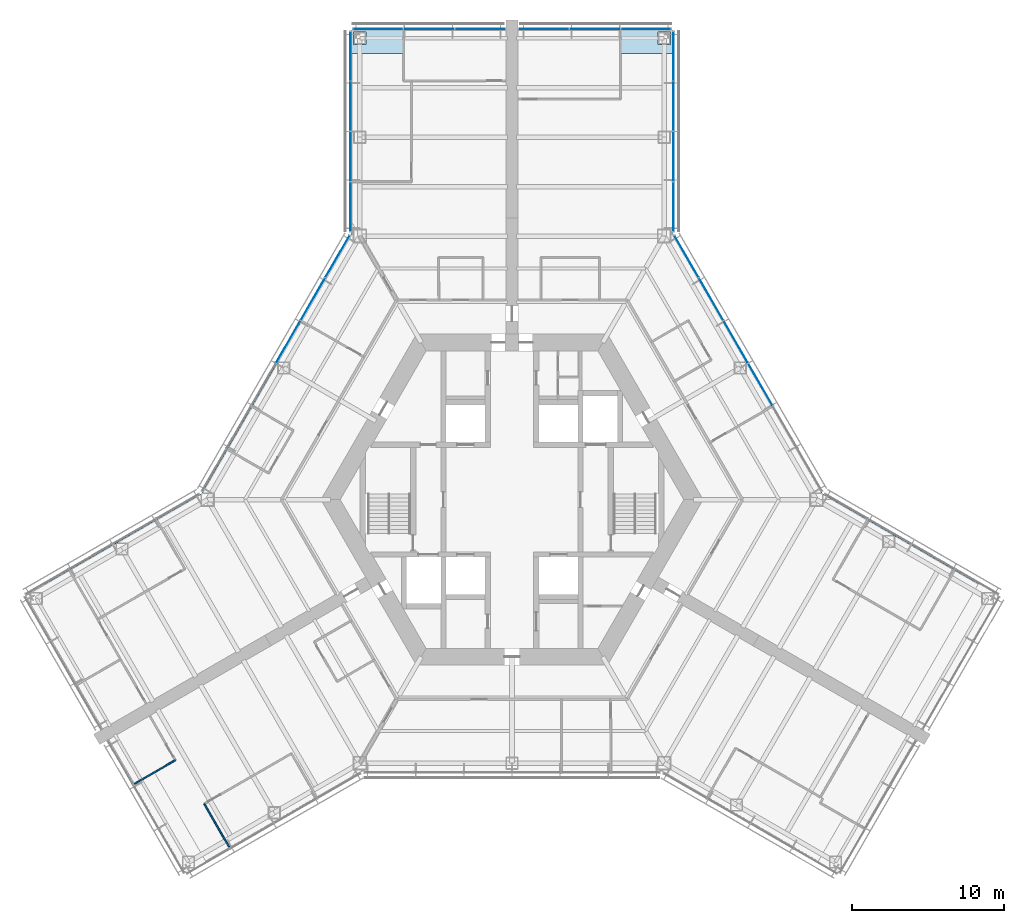
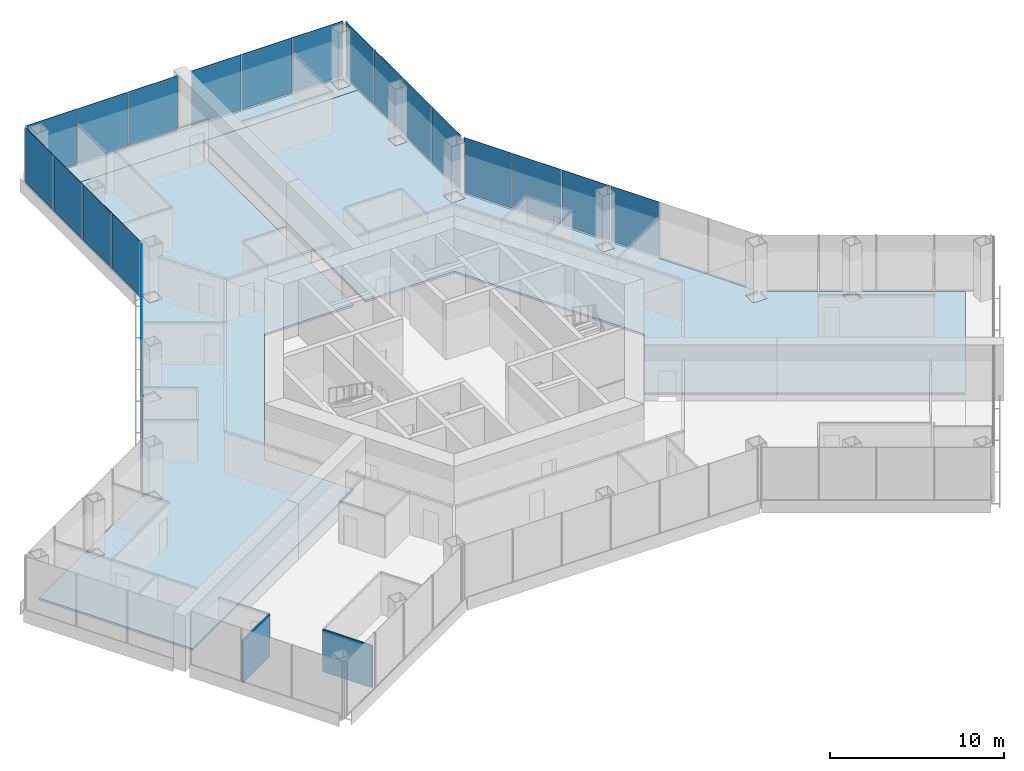
# One storey, part 11 of 18: 21 plates, 3 slabs, 2 walls, 6 elements without a shape of their own.
"""IFC4 building model written with IfcOpenShell, lengths in metres."""

from ifc_helpers import new_model, si_unit, direction, frame, frame_2d, origin, origin_2d, place, context, subcontext, project, spatial, polyline, rectangle, outline, extrude, material, layer, layer_set, type_object, element, aggregate, save


model = new_model("IFC4")

# Units and contexts
model_context = context("Model", 3, precision=1e-05, world=origin(), true_north=direction((0.0, 1.0)))
body_context = subcontext(model_context, "Body", "Model", "MODEL_VIEW")
ifc_project = project(units=[si_unit("LENGTHUNIT", "METRE"), si_unit("AREAUNIT", "SQUARE_METRE"), si_unit("VOLUMEUNIT", "CUBIC_METRE"), si_unit("PLANEANGLEUNIT", "RADIAN"), si_unit("MASSUNIT", "GRAM", prefix="KILO")], contexts=[model_context])

# Site, building, storey
site_placement = place(None, origin())
site = spatial("IfcSite", under=ifc_project, at=site_placement, CompositionType="ELEMENT")
building_placement = place(site_placement, origin())
building = spatial("IfcBuilding", under=site, at=building_placement, Name="Kasaneha Research Tower", CompositionType="ELEMENT")
storey_placement = place(building_placement, frame((0.0, 0.0, 108.0)))
storey = spatial("IfcBuildingStorey", under=building, at=storey_placement, Name="L27", CompositionType="ELEMENT", Elevation=108.0)

# Curtain wall, plates
ifc_material_1 = material(Name="Glass and aluminium", Category="aluminium")
curtain_wall_type = type_object("IfcCurtainWallType", Name="Low-rise office curtain wall", PredefinedType="USERDEFINED", material=ifc_material_1)
curtain_wall_1_placement = place(storey_placement, origin())
curtain_wall_1 = element("IfcCurtainWall", 1, at=curtain_wall_1_placement, inside=storey, type_object=curtain_wall_type, Name="CW-O1 L27 run 07a", ObjectType="UNITISED CURTAIN WALL", PredefinedType="USERDEFINED")
ifc_material_2 = material(Name="Laminated double glazing", Category="glass")
ifc_layer_1 = layer(ifc_material_2, 0.028076171875)
ifc_layer_set_1 = layer_set([ifc_layer_1], Name="CW-O1 glazed panel")
plate_type = type_object("IfcPlateType", Name="CW-O1 glazed panel", PredefinedType="CURTAIN_PANEL", material=ifc_layer_set_1)
plate_1_placement = place(storey_placement, frame((16.331298828125, 7.554443359375, 0.06005859375), z_axis=(0.0, 0.0, 1.0), x_axis=(-0.49999996188, 0.866025425793, 0.0)))
plate_1 = element("IfcPlate", 2, at=plate_1_placement, type_object=plate_type, Name="CW-O1 panel 3", PredefinedType="CURTAIN_PANEL", context=body_context, shape_type="SweptSolid", body=[
    extrude(rectangle(XDim=3.1865234375, YDim=0.028076171875, at=origin_2d()), origin(), (0.0, 0.0, 1.0), 3.840087890625),
])
plate_2_placement = place(storey_placement, frame((14.7080078125, 10.365966796875, 0.06005859375), z_axis=(0.0, 0.0, 1.0), x_axis=(-0.49999996188, 0.866025425793, 0.0)))
plate_2 = element("IfcPlate", 3, at=plate_2_placement, type_object=plate_type, Name="CW-O1 panel 4", PredefinedType="CURTAIN_PANEL", context=body_context, shape_type="SweptSolid", body=[
    extrude(rectangle(XDim=3.1865234375, YDim=0.028076171875, at=origin_2d()), origin(), (0.0, 0.0, 1.0), 3.840087890625),
])
plate_3_placement = place(storey_placement, frame((13.084716796875, 13.177490234375, 0.06005859375), z_axis=(0.0, 0.0, 1.0), x_axis=(-0.49999996188, 0.866025425793, 0.0)))
plate_3 = element("IfcPlate", 4, at=plate_3_placement, type_object=plate_type, Name="CW-O1 panel 5", PredefinedType="CURTAIN_PANEL", context=body_context, shape_type="SweptSolid", body=[
    extrude(rectangle(XDim=3.1865234375, YDim=0.028076171875, at=origin_2d()), origin(), (0.0, 0.0, 1.0), 3.840087890625),
])
plate_4_placement = place(storey_placement, frame((11.468994140625, 15.975830078125, 0.06005859375), z_axis=(0.0, 0.0, 1.0), x_axis=(-0.49999996188, 0.866025425793, 0.0)))
plate_4 = element("IfcPlate", 5, at=plate_4_placement, type_object=plate_type, Name="CW-O1 panel 6", PredefinedType="CURTAIN_PANEL", context=body_context, shape_type="SweptSolid", body=[
    extrude(rectangle(XDim=3.156494140625, YDim=0.028076171875, at=origin_2d()), origin(), (0.0, 0.0, 1.0), 3.840087890625),
])
aggregate(curtain_wall_1, [plate_1, plate_2, plate_3, plate_4])

curtain_wall_2_placement = place(storey_placement, origin())
curtain_wall_2 = element("IfcCurtainWall", 6, at=curtain_wall_2_placement, inside=storey, type_object=curtain_wall_type, Name="CW-O1 L27 run 08a", ObjectType="UNITISED CURTAIN WALL", PredefinedType="USERDEFINED")
plate_5_placement = place(storey_placement, frame((10.60009765625, 19.251220703125, 0.06005859375), z_axis=(0.0, 0.0, 1.0), x_axis=(0.0, 1.0, 0.0)))
plate_5 = element("IfcPlate", 7, at=plate_5_placement, type_object=plate_type, Name="CW-O1 panel 1", PredefinedType="CURTAIN_PANEL", context=body_context, shape_type="SweptSolid", body=[
    extrude(rectangle(XDim=3.2197265625, YDim=0.028076171875, at=origin_2d()), origin(), (0.0, 0.0, 1.0), 3.840087890625),
])
plate_6_placement = place(storey_placement, frame((10.60009765625, 22.5458984375, 0.06005859375), z_axis=(0.0, 0.0, 1.0), x_axis=(0.0, 1.0, 0.0)))
plate_6 = element("IfcPlate", 8, at=plate_6_placement, type_object=plate_type, Name="CW-O1 panel 2", PredefinedType="CURTAIN_PANEL", context=body_context, shape_type="SweptSolid", body=[
    extrude(rectangle(XDim=3.249755859375, YDim=0.028076171875, at=origin_2d()), origin(), (0.0, 0.0, 1.0), 3.840087890625),
])
plate_7_placement = place(storey_placement, frame((10.60009765625, 25.855712890625, 0.06005859375), z_axis=(0.0, 0.0, 1.0), x_axis=(0.0, 1.0, 0.0)))
plate_7 = element("IfcPlate", 9, at=plate_7_placement, type_object=plate_type, Name="CW-O1 panel 3", PredefinedType="CURTAIN_PANEL", context=body_context, shape_type="SweptSolid", body=[
    extrude(rectangle(XDim=3.249755859375, YDim=0.028076171875, at=origin_2d()), origin(), (0.0, 0.0, 1.0), 3.840087890625),
])
plate_8_placement = place(storey_placement, frame((10.60009765625, 29.150634765625, 0.06005859375), z_axis=(0.0, 0.0, 1.0), x_axis=(0.0, 1.0, 0.0)))
plate_8 = element("IfcPlate", 10, at=plate_8_placement, type_object=plate_type, Name="CW-O1 panel 4", PredefinedType="CURTAIN_PANEL", context=body_context, shape_type="SweptSolid", body=[
    extrude(rectangle(XDim=3.2197265625, YDim=0.028076171875, at=origin_2d()), origin(), (0.0, 0.0, 1.0), 3.840087890625),
])
aggregate(curtain_wall_2, [plate_5, plate_6, plate_7, plate_8])

curtain_wall_3_placement = place(storey_placement, origin())
curtain_wall_3 = element("IfcCurtainWall", 11, at=curtain_wall_3_placement, inside=storey, type_object=curtain_wall_type, Name="CW-O1 L27 run 09a", ObjectType="UNITISED CURTAIN WALL", PredefinedType="USERDEFINED")
plate_9_placement = place(storey_placement, frame((8.8017578125, 30.92041015625, 0.06005859375), z_axis=(0.0, 0.0, 1.0), x_axis=(-1.0, 0.0, 0.0)))
plate_9 = element("IfcPlate", 12, at=plate_9_placement, type_object=plate_type, Name="CW-O1 panel 1", PredefinedType="CURTAIN_PANEL", context=body_context, shape_type="SweptSolid", body=[
    extrude(rectangle(XDim=3.276611328125, YDim=0.028076171875, at=origin_2d()), origin(), (0.0, 0.0, 1.0), 3.840087890625),
])
plate_10_placement = place(storey_placement, frame((5.449951171875, 30.92041015625, 0.06005859375), z_axis=(0.0, 0.0, 1.0), x_axis=(-1.0, 0.0, 0.0)))
plate_10 = element("IfcPlate", 13, at=plate_10_placement, type_object=plate_type, Name="CW-O1 panel 2", PredefinedType="CURTAIN_PANEL", context=body_context, shape_type="SweptSolid", body=[
    extrude(rectangle(XDim=3.306640625, YDim=0.028076171875, at=origin_2d()), origin(), (0.0, 0.0, 1.0), 3.840087890625),
])
plate_11_placement = place(storey_placement, frame((2.098388671875, 30.92041015625, 0.06005859375), z_axis=(0.0, 0.0, 1.0), x_axis=(-1.0, 0.0, 0.0)))
plate_11 = element("IfcPlate", 14, at=plate_11_placement, type_object=plate_type, Name="CW-O1 panel 3", PredefinedType="CURTAIN_PANEL", context=body_context, shape_type="SweptSolid", body=[
    extrude(rectangle(XDim=3.276611328125, YDim=0.028076171875, at=origin_2d()), origin(), (0.0, 0.0, 1.0), 3.840087890625),
])
aggregate(curtain_wall_3, [plate_9, plate_10, plate_11])

curtain_wall_4_placement = place(storey_placement, origin())
curtain_wall_4 = element("IfcCurtainWall", 15, at=curtain_wall_4_placement, inside=storey, type_object=curtain_wall_type, Name="CW-O1 L27 run 10a", ObjectType="UNITISED CURTAIN WALL", PredefinedType="USERDEFINED")
plate_12_placement = place(storey_placement, frame((-2.098388671875, 30.92041015625, 0.06005859375), z_axis=(0.0, 0.0, 1.0), x_axis=(-1.0, 0.0, 0.0)))
plate_12 = element("IfcPlate", 16, at=plate_12_placement, type_object=plate_type, Name="CW-O1 panel 1", PredefinedType="CURTAIN_PANEL", context=body_context, shape_type="SweptSolid", body=[
    extrude(rectangle(XDim=3.276611328125, YDim=0.028076171875, at=origin_2d()), origin(), (0.0, 0.0, 1.0), 3.840087890625),
])
plate_13_placement = place(storey_placement, frame((-5.449951171875, 30.92041015625, 0.06005859375), z_axis=(0.0, 0.0, 1.0), x_axis=(-1.0, 0.0, 0.0)))
plate_13 = element("IfcPlate", 17, at=plate_13_placement, type_object=plate_type, Name="CW-O1 panel 2", PredefinedType="CURTAIN_PANEL", context=body_context, shape_type="SweptSolid", body=[
    extrude(rectangle(XDim=3.306640625, YDim=0.028076171875, at=origin_2d()), origin(), (0.0, 0.0, 1.0), 3.840087890625),
])
plate_14_placement = place(storey_placement, frame((-8.8017578125, 30.92041015625, 0.06005859375), z_axis=(0.0, 0.0, 1.0), x_axis=(-1.0, 0.0, 0.0)))
plate_14 = element("IfcPlate", 18, at=plate_14_placement, type_object=plate_type, Name="CW-O1 panel 3", PredefinedType="CURTAIN_PANEL", context=body_context, shape_type="SweptSolid", body=[
    extrude(rectangle(XDim=3.276611328125, YDim=0.028076171875, at=origin_2d()), origin(), (0.0, 0.0, 1.0), 3.840087890625),
])
aggregate(curtain_wall_4, [plate_12, plate_13, plate_14])

curtain_wall_5_placement = place(storey_placement, origin())
curtain_wall_5 = element("IfcCurtainWall", 19, at=curtain_wall_5_placement, inside=storey, type_object=curtain_wall_type, Name="CW-O1 L27 run 11a", ObjectType="UNITISED CURTAIN WALL", PredefinedType="USERDEFINED")
plate_15_placement = place(storey_placement, frame((-10.60009765625, 29.150634765625, 0.06005859375), z_axis=(0.0, 0.0, 1.0), x_axis=(0.0, -1.0, 0.0)))
plate_15 = element("IfcPlate", 20, at=plate_15_placement, type_object=plate_type, Name="CW-O1 panel 1", PredefinedType="CURTAIN_PANEL", context=body_context, shape_type="SweptSolid", body=[
    extrude(rectangle(XDim=3.2197265625, YDim=0.028076171875, at=origin_2d()), origin(), (0.0, 0.0, 1.0), 3.840087890625),
])
plate_16_placement = place(storey_placement, frame((-10.60009765625, 25.855712890625, 0.06005859375), z_axis=(0.0, 0.0, 1.0), x_axis=(0.0, -1.0, 0.0)))
plate_16 = element("IfcPlate", 21, at=plate_16_placement, type_object=plate_type, Name="CW-O1 panel 2", PredefinedType="CURTAIN_PANEL", context=body_context, shape_type="SweptSolid", body=[
    extrude(rectangle(XDim=3.249755859375, YDim=0.028076171875, at=origin_2d()), origin(), (0.0, 0.0, 1.0), 3.840087890625),
])
plate_17_placement = place(storey_placement, frame((-10.60009765625, 22.5458984375, 0.06005859375), z_axis=(0.0, 0.0, 1.0), x_axis=(0.0, -1.0, 0.0)))
plate_17 = element("IfcPlate", 22, at=plate_17_placement, type_object=plate_type, Name="CW-O1 panel 3", PredefinedType="CURTAIN_PANEL", context=body_context, shape_type="SweptSolid", body=[
    extrude(rectangle(XDim=3.249755859375, YDim=0.028076171875, at=origin_2d()), origin(), (0.0, 0.0, 1.0), 3.840087890625),
])
plate_18_placement = place(storey_placement, frame((-10.60009765625, 19.251220703125, 0.06005859375), z_axis=(0.0, 0.0, 1.0), x_axis=(0.0, -1.0, 0.0)))
plate_18 = element("IfcPlate", 23, at=plate_18_placement, type_object=plate_type, Name="CW-O1 panel 4", PredefinedType="CURTAIN_PANEL", context=body_context, shape_type="SweptSolid", body=[
    extrude(rectangle(XDim=3.2197265625, YDim=0.028076171875, at=origin_2d()), origin(), (0.0, 0.0, 1.0), 3.840087890625),
])
aggregate(curtain_wall_5, [plate_15, plate_16, plate_17, plate_18])

curtain_wall_6_placement = place(storey_placement, origin())
curtain_wall_6 = element("IfcCurtainWall", 24, at=curtain_wall_6_placement, inside=storey, type_object=curtain_wall_type, Name="CW-O1 L27 run 12a", ObjectType="UNITISED CURTAIN WALL", PredefinedType="USERDEFINED")
plate_19_placement = place(storey_placement, frame((-11.468994140625, 15.975830078125, 0.06005859375), z_axis=(0.0, 0.0, 1.0), x_axis=(-0.49999996188, -0.866025425793, 0.0)))
plate_19 = element("IfcPlate", 25, at=plate_19_placement, type_object=plate_type, Name="CW-O1 panel 1", PredefinedType="CURTAIN_PANEL", context=body_context, shape_type="SweptSolid", body=[
    extrude(rectangle(XDim=3.156494140625, YDim=0.028076171875, at=origin_2d()), origin(), (0.0, 0.0, 1.0), 3.840087890625),
])
plate_20_placement = place(storey_placement, frame((-13.084716796875, 13.177490234375, 0.06005859375), z_axis=(0.0, 0.0, 1.0), x_axis=(-0.49999996188, -0.866025425793, 0.0)))
plate_20 = element("IfcPlate", 26, at=plate_20_placement, type_object=plate_type, Name="CW-O1 panel 2", PredefinedType="CURTAIN_PANEL", context=body_context, shape_type="SweptSolid", body=[
    extrude(rectangle(XDim=3.1865234375, YDim=0.028076171875, at=origin_2d()), origin(), (0.0, 0.0, 1.0), 3.840087890625),
])
plate_21_placement = place(storey_placement, frame((-14.7080078125, 10.365966796875, 0.06005859375), z_axis=(0.0, 0.0, 1.0), x_axis=(-0.49999996188, -0.866025425793, 0.0)))
plate_21 = element("IfcPlate", 27, at=plate_21_placement, type_object=plate_type, Name="CW-O1 panel 3", PredefinedType="CURTAIN_PANEL", context=body_context, shape_type="SweptSolid", body=[
    extrude(rectangle(XDim=3.1865234375, YDim=0.028076171875, at=origin_2d()), origin(), (0.0, 0.0, 1.0), 3.840087890625),
])
aggregate(curtain_wall_6, [plate_19, plate_20, plate_21])

# Slabs
ifc_material_3 = material(Name="Concrete Fc24", Category="concrete")
ifc_layer_2 = layer(ifc_material_3, 0.14990234375)
ifc_layer_set_2 = layer_set([ifc_layer_2], Name="Floor slab 150")
slab_type = type_object("IfcSlabType", Name="Floor slab 150", PredefinedType="FLOOR", material=ifc_layer_set_2)
slab_1_placement = place(storey_placement, frame((0.0, 0.0, -0.14990234375)))
element("IfcSlab", 28, at=slab_1_placement, inside=storey, type_object=slab_type, Name="Floor slab L27 2", PredefinedType="FLOOR", context=body_context, shape_type="SweptSolid", body=[
    extrude(outline(polyline([(-20.375244140625, 0.449951171875), (-15.40771484375, 9.053955078125), (-15.400146484375, 9.046142578125), (-15.400146484375, 8.26025390625), (-14.599853515625, 8.26025390625), (-14.599853515625, 9.060302734375), (-15.385986328125, 9.060302734375), (-15.3974609375, 9.07177734375), (-10.550048828125, 17.4677734375), (-10.550048828125, 29.310546875), (-0.39990234375, 29.310546875), (-0.39990234375, 10.875), (-6.278564453125, 10.875), (-12.557373046875, 0.0), (-9.617919921875, -5.091064453125), (-25.583740234375, -14.308837890625), (-30.65869140625, -5.518798828125), (-26.040771484375, -2.8525390625), (-26.029296875, -2.864013671875), (-26.029296875, -3.650146484375), (-25.22900390625, -3.650146484375), (-25.22900390625, -2.849853515625), (-26.01513671875, -2.849853515625), (-26.02294921875, -2.84228515625), (-20.449951171875, 0.375244140625), (-20.449951171875, -0.449951171875), (-19.550048828125, -0.449951171875), (-19.550048828125, 0.449951171875), (-20.375244140625, 0.449951171875)]), holes=[polyline([(-9.550048828125, 17.7705078125), (-10.449951171875, 17.7705078125), (-10.449951171875, 16.87060546875), (-9.550048828125, 16.87060546875), (-9.550048828125, 17.7705078125)]), polyline([(-9.60009765625, 23.42041015625), (-9.60009765625, 24.220458984375), (-10.39990234375, 24.220458984375), (-10.39990234375, 23.42041015625), (-9.60009765625, 23.42041015625)])]), origin(), (0.0, 0.0, 1.0), 0.14990234375),
])
slab_2_placement = place(storey_placement, frame((0.0, 0.0, -0.14990234375)))
element("IfcSlab", 29, at=slab_2_placement, inside=storey, type_object=slab_type, Name="Floor slab L27 3", PredefinedType="FLOOR", context=body_context, shape_type="SweptSolid", body=[
    extrude(outline(polyline([(10.550048828125, 29.310546875), (0.39990234375, 29.310546875), (0.39990234375, 29.320556640625), (-0.39990234375, 29.320556640625), (-0.39990234375, 29.310546875), (-10.550048828125, 29.310546875), (-10.550048828125, 30.87060546875), (10.550048828125, 30.87060546875), (10.550048828125, 29.310546875)]), holes=[polyline([(-9.60009765625, 30.720458984375), (-10.39990234375, 30.720458984375), (-10.39990234375, 29.92041015625), (-9.60009765625, 29.92041015625), (-9.60009765625, 30.720458984375)]), polyline([(10.39990234375, 29.92041015625), (10.39990234375, 30.720458984375), (9.60009765625, 30.720458984375), (9.60009765625, 29.92041015625), (10.39990234375, 29.92041015625)])]), origin(), (0.0, 0.0, 1.0), 0.14990234375),
])
slab_3_placement = place(storey_placement, frame((0.0, 0.0, -0.14990234375)))
element("IfcSlab", 30, at=slab_3_placement, inside=storey, type_object=slab_type, Name="Floor slab L27 5", PredefinedType="FLOOR", context=body_context, shape_type="SweptSolid", body=[
    extrude(outline(polyline([(9.617919921875, -5.091064453125), (12.557373046875, 0.0), (6.278564453125, 10.875), (0.39990234375, 10.875), (0.39990234375, 29.310546875), (10.550048828125, 29.310546875), (10.550048828125, 17.4677734375), (15.3974609375, 9.07177734375), (15.385986328125, 9.060302734375), (14.599853515625, 9.060302734375), (14.599853515625, 8.26025390625), (15.400146484375, 8.26025390625), (15.400146484375, 9.046142578125), (15.40771484375, 9.053955078125), (20.375244140625, 0.449951171875), (19.550048828125, 0.449951171875), (19.550048828125, -0.449951171875), (20.449951171875, -0.449951171875), (20.449951171875, 0.375244140625), (25.15673828125, -2.34228515625), (25.149169921875, -2.349853515625), (24.363037109375, -2.349853515625), (24.363037109375, -3.150146484375), (25.163330078125, -3.150146484375), (25.163330078125, -2.364013671875), (25.1748046875, -2.3525390625), (30.65869140625, -5.518798828125), (25.583740234375, -14.308837890625), (9.617919921875, -5.091064453125)]), holes=[polyline([(10.449951171875, 16.87060546875), (10.449951171875, 17.7705078125), (9.550048828125, 17.7705078125), (9.550048828125, 16.87060546875), (10.449951171875, 16.87060546875)]), polyline([(10.39990234375, 23.42041015625), (10.39990234375, 24.220458984375), (9.60009765625, 24.220458984375), (9.60009765625, 23.42041015625), (10.39990234375, 23.42041015625)])]), origin(), (0.0, 0.0, 1.0), 0.14990234375),
])

# Walls
ifc_material_4 = material(Name="Gypsum board on steel studs, one layer each side", Category="steel")
ifc_layer_3 = layer(ifc_material_4, 0.10009765625)
ifc_layer_set_3 = layer_set([ifc_layer_3], Name="Office partition 100")
wall_type = type_object("IfcWallType", Name="Office partition 100", PredefinedType="PARTITIONING", material=ifc_layer_set_3)
wall_1_placement = place(storey_placement, frame((-18.5849609375, -22.831298828125, 0.0), z_axis=(0.0, 0.0, 1.0), x_axis=(-0.50002956483, 0.866008333849, 0.0)))
element("IfcWall", 31, at=wall_1_placement, inside=storey, type_object=wall_type, Name="Office partition FBS08 L27", PredefinedType="PARTITIONING", context=body_context, shape_type="SweptSolid", body=[
    extrude(rectangle(XDim=3.280029296875, YDim=0.10009765625, at=frame_2d((1.64013671875, 0.0))), origin(), (0.0, 0.0, 1.0), 2.949951171875),
])
wall_2_placement = place(storey_placement, frame((-22.123291015625, -17.122314453125, 0.0), z_axis=(0.0, 0.0, 1.0), x_axis=(-0.86602952684, -0.49999285859, 0.0)))
element("IfcWall", 32, at=wall_2_placement, inside=storey, type_object=wall_type, Name="Office partition FBS11 L27", PredefinedType="PARTITIONING", context=body_context, shape_type="SweptSolid", body=[
    extrude(rectangle(XDim=3.10009765625, YDim=0.10009765625, at=frame_2d((1.550048828125, 0.0))), origin(), (0.0, 0.0, 1.0), 2.949951171875),
])

save(model, "model.ifc")
